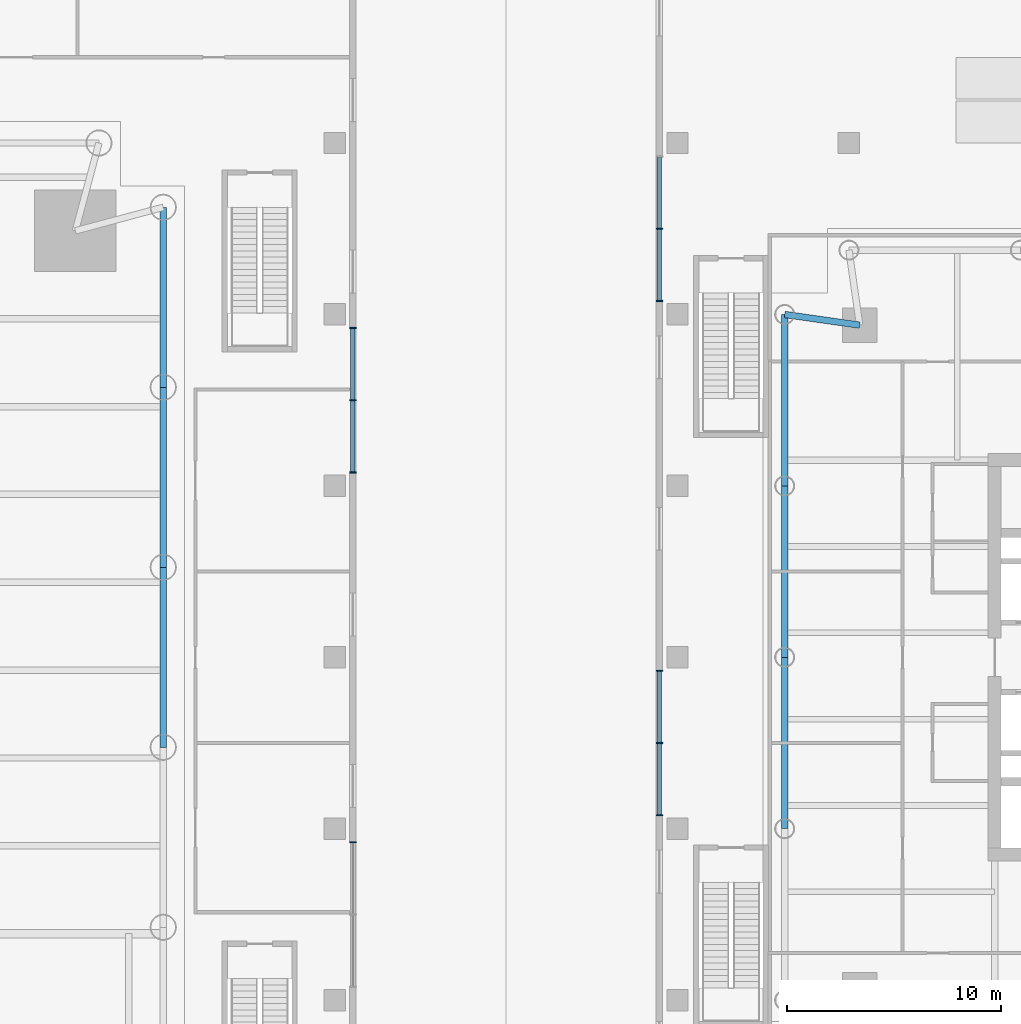
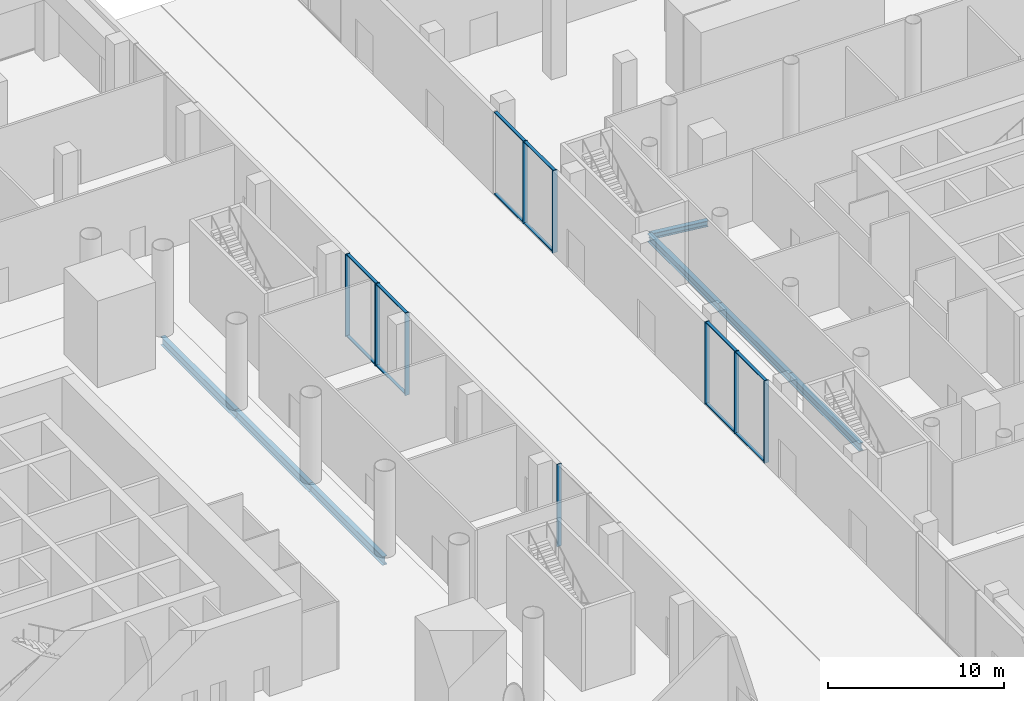
# One storey, part 12 of 39: 21 members, 7 beams, 4 elements without a shape of their own.
"""IFC4 building model written with IfcOpenShell, lengths in metres."""

from ifc_helpers import new_model, si_unit, direction, frame, origin, origin_2d, place, context, subcontext, project, spatial, rectangle, i_section, extrude, material, material_profile, profile_set, type_object, element, aggregate, save


model = new_model("IFC4")

# Units and contexts
model_context = context("Model", 3, precision=1e-05, world=origin(), true_north=direction((0.0, 1.0)))
body_context = subcontext(model_context, "Body", "Model", "MODEL_VIEW")
ifc_project = project(units=[si_unit("LENGTHUNIT", "METRE"), si_unit("AREAUNIT", "SQUARE_METRE"), si_unit("VOLUMEUNIT", "CUBIC_METRE"), si_unit("PLANEANGLEUNIT", "RADIAN"), si_unit("MASSUNIT", "GRAM", prefix="KILO")], contexts=[model_context])

# Site, building, storey
site_placement = place(None, origin())
site = spatial("IfcSite", under=ifc_project, at=site_placement, CompositionType="ELEMENT")
building_placement = place(site_placement, origin())
building = spatial("IfcBuilding", under=site, at=building_placement, Name="Ostroluk Exchange", CompositionType="ELEMENT")
storey_placement = place(building_placement, origin())
storey = spatial("IfcBuildingStorey", under=building, at=storey_placement, Name="L00", CompositionType="ELEMENT", Elevation=0.0)

# Beams
ifc_material_1 = material(Name="Steel S355", Category="steel")
ifc_material_profile_1 = material_profile(ifc_material_1, i_section(OverallWidth=0.300048828125, OverallDepth=0.39990234375, WebThickness=0.013427734375, FlangeThickness=0.02392578125, FilletRadius=0.027099609375, at=origin_2d()), Name="HEB 400")
ifc_profile_set_1 = profile_set([ifc_material_profile_1], Name="Steel S355")
beam_type_1 = type_object("IfcBeamType", Name="Corner edge beam HEB 400", PredefinedType="SPANDREL", material=ifc_profile_set_1)
beam_1_placement = place(storey_placement, frame((101.5, 61.5, -0.5), z_axis=(-0.989949493661, 0.141421356237, 0.0), x_axis=(-0.141421356237, -0.989949493661, 0.0)))
element("IfcBeam", 1, at=beam_1_placement, inside=storey, type_object=beam_type_1, Name="T2 north corner edge beam b", PredefinedType="SPANDREL", context=body_context, shape_type="SweptSolid", body=[
    extrude(i_section(OverallWidth=0.300048828125, OverallDepth=0.39990234375, WebThickness=0.013427734375, FlangeThickness=0.02392578125, FilletRadius=0.027099609375, at=origin_2d()), origin(), (0.0, 0.0, 1.0), 3.53564453125),
])
ifc_material_2 = material(Name="Steel S355", Category="steel")
ifc_material_profile_2 = material_profile(ifc_material_2, i_section(OverallWidth=0.300048828125, OverallDepth=0.550048828125, WebThickness=0.014892578125, FlangeThickness=0.029052734375, FilletRadius=0.027099609375, at=origin_2d()), Name="HEB 550")
ifc_profile_set_2 = profile_set([ifc_material_profile_2], Name="Steel S355")
beam_type_2 = type_object("IfcBeamType", Name="Moment-connected edge beam HEB 550", PredefinedType="SPANDREL", material=ifc_profile_set_2)
for number, where, z_axis, x_axis, name in (
    (2, (98.0, 62.0, -0.574951171875), (0.0, -1.0, 0.0), (1.0, 0.0, 0.0), "T2 west edge beam 1"),
    (3, (98.0, 54.0, -0.574951171875), (0.0, -1.0, 0.0), (1.0, 0.0, 0.0), "T2 west edge beam 2"),
    (4, (98.0, 46.0, -0.574951171875), (0.0, -1.0, 0.0), (1.0, 0.0, 0.0), "T2 west edge beam 3"),
):
    element("IfcBeam", number, at=place(storey_placement, frame(where, z_axis=z_axis, x_axis=x_axis)), inside=storey, type_object=beam_type_2, Name=name, PredefinedType="SPANDREL", context=body_context, shape_type="SweptSolid", body=[
        extrude(i_section(OverallWidth=0.300048828125, OverallDepth=0.550048828125, WebThickness=0.014892578125, FlangeThickness=0.029052734375, FilletRadius=0.027099609375, at=origin_2d()), origin(), (0.0, 0.0, 1.0), 8.0),
    ])
ifc_material_3 = material(Name="Steel S355", Category="steel")
ifc_material_profile_3 = material_profile(ifc_material_3, i_section(OverallWidth=0.300048828125, OverallDepth=0.60009765625, WebThickness=0.015380859375, FlangeThickness=0.030029296875, FilletRadius=0.027099609375, at=origin_2d()), Name="HEB 600")
ifc_profile_set_3 = profile_set([ifc_material_profile_3], Name="Steel S355")
beam_type_3 = type_object("IfcBeamType", Name="Moment-connected edge beam HEB 600", PredefinedType="SPANDREL", material=ifc_profile_set_3)
beam_2_placement = place(storey_placement, frame((69.0, 41.800048828125, -0.60009765625), z_axis=(0.0, 1.0, 0.0), x_axis=(-1.0, 0.0, 0.0)))
element("IfcBeam", 5, at=beam_2_placement, inside=storey, type_object=beam_type_3, Name="T1 east edge beam 3", PredefinedType="SPANDREL", context=body_context, shape_type="SweptSolid", body=[
    extrude(i_section(OverallWidth=0.300048828125, OverallDepth=0.60009765625, WebThickness=0.015380859375, FlangeThickness=0.030029296875, FilletRadius=0.027099609375, at=origin_2d()), origin(), (0.0, 0.0, 1.0), 8.39990234375),
])
beam_3_placement = place(storey_placement, frame((69.0, 50.199951171875, -0.60009765625), z_axis=(0.0, 1.0, 0.0), x_axis=(-1.0, 0.0, 0.0)))
element("IfcBeam", 6, at=beam_3_placement, inside=storey, type_object=beam_type_3, Name="T1 east edge beam 4", PredefinedType="SPANDREL", context=body_context, shape_type="SweptSolid", body=[
    extrude(i_section(OverallWidth=0.300048828125, OverallDepth=0.60009765625, WebThickness=0.015380859375, FlangeThickness=0.030029296875, FilletRadius=0.027099609375, at=origin_2d()), origin(), (0.0, 0.0, 1.0), 8.400146484375),
])
beam_4_placement = place(storey_placement, frame((69.0, 58.60009765625, -0.60009765625), z_axis=(0.0, 1.0, 0.0), x_axis=(-1.0, 0.0, 0.0)))
element("IfcBeam", 7, at=beam_4_placement, inside=storey, type_object=beam_type_3, Name="T1 east edge beam 5", PredefinedType="SPANDREL", context=body_context, shape_type="SweptSolid", body=[
    extrude(i_section(OverallWidth=0.300048828125, OverallDepth=0.60009765625, WebThickness=0.015380859375, FlangeThickness=0.030029296875, FilletRadius=0.027099609375, at=origin_2d()), origin(), (0.0, 0.0, 1.0), 8.39990234375),
])

# Curtain wall, member
ifc_material_4 = material(Name="Laminated clear glass", Category="glass")
curtain_wall_type = type_object("IfcCurtainWallType", Name="Podium shopfront", PredefinedType="USERDEFINED", material=ifc_material_4)
curtain_wall_1_placement = place(storey_placement, origin())
curtain_wall_1 = element("IfcCurtainWall", 8, at=curtain_wall_1_placement, inside=storey, type_object=curtain_wall_type, Name="Podium west E shopfront 2", ObjectType="STICK SHOPFRONT", PredefinedType="USERDEFINED")
ifc_material_5 = material(Name="Aluminium mullion", Category="aluminium")
ifc_material_profile_4 = material_profile(ifc_material_5, rectangle(XDim=0.300048828125, YDim=0.06005859375, at=origin_2d()), Name="Shopfront mullion 60 x 300")
ifc_profile_set_4 = profile_set([ifc_material_profile_4], Name="Aluminium mullion")
member_type_1 = type_object("IfcMemberType", Name="Shopfront mullion 60 x 300", PredefinedType="MULLION", material=ifc_profile_set_4)
member_1_placement = place(storey_placement, frame((77.85009765625, 37.3701171875, 0.0), z_axis=(0.0, 0.0, 1.0), x_axis=(-1.0, 0.0, 0.0)))
member_1 = element("IfcMember", 9, at=member_1_placement, type_object=member_type_1, Name="CW-SF1 mullion 3", PredefinedType="MULLION", context=body_context, shape_type="SweptSolid", body=[
    extrude(rectangle(XDim=0.300048828125, YDim=0.06005859375, at=origin_2d()), origin(), (0.0, 0.0, 1.0), 5.699951171875),
])
aggregate(curtain_wall_1, [member_1])

# Curtain wall, members
curtain_wall_2_placement = place(storey_placement, origin())
curtain_wall_2 = element("IfcCurtainWall", 10, at=curtain_wall_2_placement, inside=storey, type_object=curtain_wall_type, Name="Podium west E shopfront 3", ObjectType="STICK SHOPFRONT", PredefinedType="USERDEFINED")
member_2_placement = place(storey_placement, frame((77.85009765625, 54.6298828125, 0.0), z_axis=(0.0, 0.0, 1.0), x_axis=(-1.0, 0.0, 0.0)))
member_2 = element("IfcMember", 11, at=member_2_placement, type_object=member_type_1, Name="CW-SF1 mullion 1", PredefinedType="MULLION", context=body_context, shape_type="SweptSolid", body=[
    extrude(rectangle(XDim=0.300048828125, YDim=0.06005859375, at=origin_2d()), origin(), (0.0, 0.0, 1.0), 5.699951171875),
])
member_3_placement = place(storey_placement, frame((77.85009765625, 58.0, 0.0), z_axis=(0.0, 0.0, 1.0), x_axis=(-1.0, 0.0, 0.0)))
member_3 = element("IfcMember", 12, at=member_3_placement, type_object=member_type_1, Name="CW-SF1 mullion 2", PredefinedType="MULLION", context=body_context, shape_type="SweptSolid", body=[
    extrude(rectangle(XDim=0.300048828125, YDim=0.06005859375, at=origin_2d()), origin(), (0.0, 0.0, 1.0), 5.699951171875),
])
member_4_placement = place(storey_placement, frame((77.85009765625, 61.3701171875, 0.0), z_axis=(0.0, 0.0, 1.0), x_axis=(-1.0, 0.0, 0.0)))
member_4 = element("IfcMember", 13, at=member_4_placement, type_object=member_type_1, Name="CW-SF1 mullion 3", PredefinedType="MULLION", context=body_context, shape_type="SweptSolid", body=[
    extrude(rectangle(XDim=0.300048828125, YDim=0.06005859375, at=origin_2d()), origin(), (0.0, 0.0, 1.0), 5.699951171875),
])

curtain_wall_3_placement = place(storey_placement, origin())
curtain_wall_3 = element("IfcCurtainWall", 14, at=curtain_wall_3_placement, inside=storey, type_object=curtain_wall_type, Name="Podium east W shopfront 2", ObjectType="STICK SHOPFRONT", PredefinedType="USERDEFINED")
member_5_placement = place(storey_placement, frame((92.14990234375, 66.0, 0.0), z_axis=(0.0, 0.0, 1.0), x_axis=(1.0, 0.0, 0.0)))
member_5 = element("IfcMember", 15, at=member_5_placement, type_object=member_type_1, Name="CW-SF1 mullion 2", PredefinedType="MULLION", context=body_context, shape_type="SweptSolid", body=[
    extrude(rectangle(XDim=0.300048828125, YDim=0.06005859375, at=origin_2d()), origin(), (0.0, 0.0, 1.0), 5.699951171875),
])
member_6_placement = place(storey_placement, frame((92.14990234375, 62.6298828125, 0.0), z_axis=(0.0, 0.0, 1.0), x_axis=(1.0, 0.0, 0.0)))
member_6 = element("IfcMember", 16, at=member_6_placement, type_object=member_type_1, Name="CW-SF1 mullion 3", PredefinedType="MULLION", context=body_context, shape_type="SweptSolid", body=[
    extrude(rectangle(XDim=0.300048828125, YDim=0.06005859375, at=origin_2d()), origin(), (0.0, 0.0, 1.0), 5.699951171875),
])

curtain_wall_4_placement = place(storey_placement, origin())
curtain_wall_4 = element("IfcCurtainWall", 17, at=curtain_wall_4_placement, inside=storey, type_object=curtain_wall_type, Name="Podium east W shopfront 3", ObjectType="STICK SHOPFRONT", PredefinedType="USERDEFINED")
member_7_placement = place(storey_placement, frame((92.14990234375, 45.3701171875, 0.0), z_axis=(0.0, 0.0, 1.0), x_axis=(1.0, 0.0, 0.0)))
member_7 = element("IfcMember", 18, at=member_7_placement, type_object=member_type_1, Name="CW-SF1 mullion 1", PredefinedType="MULLION", context=body_context, shape_type="SweptSolid", body=[
    extrude(rectangle(XDim=0.300048828125, YDim=0.06005859375, at=origin_2d()), origin(), (0.0, 0.0, 1.0), 5.699951171875),
])
member_8_placement = place(storey_placement, frame((92.14990234375, 42.0, 0.0), z_axis=(0.0, 0.0, 1.0), x_axis=(1.0, 0.0, 0.0)))
member_8 = element("IfcMember", 19, at=member_8_placement, type_object=member_type_1, Name="CW-SF1 mullion 2", PredefinedType="MULLION", context=body_context, shape_type="SweptSolid", body=[
    extrude(rectangle(XDim=0.300048828125, YDim=0.06005859375, at=origin_2d()), origin(), (0.0, 0.0, 1.0), 5.699951171875),
])
member_9_placement = place(storey_placement, frame((92.14990234375, 38.6298828125, 0.0), z_axis=(0.0, 0.0, 1.0), x_axis=(1.0, 0.0, 0.0)))
member_9 = element("IfcMember", 20, at=member_9_placement, type_object=member_type_1, Name="CW-SF1 mullion 3", PredefinedType="MULLION", context=body_context, shape_type="SweptSolid", body=[
    extrude(rectangle(XDim=0.300048828125, YDim=0.06005859375, at=origin_2d()), origin(), (0.0, 0.0, 1.0), 5.699951171875),
])

# Member
ifc_material_6 = material(Name="Aluminium mullion", Category="aluminium")
ifc_material_profile_5 = material_profile(ifc_material_6, rectangle(XDim=0.199951171875, YDim=0.06005859375, at=origin_2d()), Name="Shopfront transom 60 x 200")
ifc_profile_set_5 = profile_set([ifc_material_profile_5], Name="Aluminium mullion")
member_type_2 = type_object("IfcMemberType", Name="Shopfront transom 60 x 200", PredefinedType="USERDEFINED", material=ifc_profile_set_5)
member_10_placement = place(storey_placement, frame((77.85009765625, 54.659912109375, 0.030029296875), z_axis=(0.0, 1.0, 0.0), x_axis=(-1.0, 0.0, 0.0)))
member_10 = element("IfcMember", 21, at=member_10_placement, type_object=member_type_2, Name="CW-SF1 transom 1.1", ObjectType="TRANSOM", PredefinedType="USERDEFINED", context=body_context, shape_type="SweptSolid", body=[
    extrude(rectangle(XDim=0.199951171875, YDim=0.06005859375, at=origin_2d()), origin(), (0.0, 0.0, 1.0), 3.31005859375),
])

member_11_placement = place(storey_placement, frame((77.85009765625, 54.659912109375, 5.669921875), z_axis=(0.0, 1.0, 0.0), x_axis=(-1.0, 0.0, 0.0)))
member_11 = element("IfcMember", 22, at=member_11_placement, type_object=member_type_2, Name="CW-SF1 transom 1.2", ObjectType="TRANSOM", PredefinedType="USERDEFINED", context=body_context, shape_type="SweptSolid", body=[
    extrude(rectangle(XDim=0.199951171875, YDim=0.06005859375, at=origin_2d()), origin(), (0.0, 0.0, 1.0), 3.31005859375),
])

member_12_placement = place(storey_placement, frame((77.85009765625, 58.030029296875, 0.030029296875), z_axis=(0.0, 1.0, 0.0), x_axis=(-1.0, 0.0, 0.0)))
member_12 = element("IfcMember", 23, at=member_12_placement, type_object=member_type_2, Name="CW-SF1 transom 2.1", ObjectType="TRANSOM", PredefinedType="USERDEFINED", context=body_context, shape_type="SweptSolid", body=[
    extrude(rectangle(XDim=0.199951171875, YDim=0.06005859375, at=origin_2d()), origin(), (0.0, 0.0, 1.0), 3.31005859375),
])

member_13_placement = place(storey_placement, frame((77.85009765625, 58.030029296875, 5.669921875), z_axis=(0.0, 1.0, 0.0), x_axis=(-1.0, 0.0, 0.0)))
member_13 = element("IfcMember", 24, at=member_13_placement, type_object=member_type_2, Name="CW-SF1 transom 2.2", ObjectType="TRANSOM", PredefinedType="USERDEFINED", context=body_context, shape_type="SweptSolid", body=[
    extrude(rectangle(XDim=0.199951171875, YDim=0.06005859375, at=origin_2d()), origin(), (0.0, 0.0, 1.0), 3.31005859375),
])

aggregate(curtain_wall_2, [member_2, member_3, member_4, member_10, member_11, member_12, member_13])

member_14_placement = place(storey_placement, frame((92.14990234375, 69.340087890625, 0.030029296875), z_axis=(0.0, -1.0, 0.0), x_axis=(1.0, 0.0, 0.0)))
member_14 = element("IfcMember", 25, at=member_14_placement, type_object=member_type_2, Name="CW-SF1 transom 1.1", ObjectType="TRANSOM", PredefinedType="USERDEFINED", context=body_context, shape_type="SweptSolid", body=[
    extrude(rectangle(XDim=0.199951171875, YDim=0.06005859375, at=origin_2d()), origin(), (0.0, 0.0, 1.0), 3.31005859375),
])

member_15_placement = place(storey_placement, frame((92.14990234375, 69.340087890625, 5.669921875), z_axis=(0.0, -1.0, 0.0), x_axis=(1.0, 0.0, 0.0)))
member_15 = element("IfcMember", 26, at=member_15_placement, type_object=member_type_2, Name="CW-SF1 transom 1.2", ObjectType="TRANSOM", PredefinedType="USERDEFINED", context=body_context, shape_type="SweptSolid", body=[
    extrude(rectangle(XDim=0.199951171875, YDim=0.06005859375, at=origin_2d()), origin(), (0.0, 0.0, 1.0), 3.31005859375),
])

member_16_placement = place(storey_placement, frame((92.14990234375, 65.969970703125, 0.030029296875), z_axis=(0.0, -1.0, 0.0), x_axis=(1.0, 0.0, 0.0)))
member_16 = element("IfcMember", 27, at=member_16_placement, type_object=member_type_2, Name="CW-SF1 transom 2.1", ObjectType="TRANSOM", PredefinedType="USERDEFINED", context=body_context, shape_type="SweptSolid", body=[
    extrude(rectangle(XDim=0.199951171875, YDim=0.06005859375, at=origin_2d()), origin(), (0.0, 0.0, 1.0), 3.31005859375),
])

member_17_placement = place(storey_placement, frame((92.14990234375, 65.969970703125, 5.669921875), z_axis=(0.0, -1.0, 0.0), x_axis=(1.0, 0.0, 0.0)))
member_17 = element("IfcMember", 28, at=member_17_placement, type_object=member_type_2, Name="CW-SF1 transom 2.2", ObjectType="TRANSOM", PredefinedType="USERDEFINED", context=body_context, shape_type="SweptSolid", body=[
    extrude(rectangle(XDim=0.199951171875, YDim=0.06005859375, at=origin_2d()), origin(), (0.0, 0.0, 1.0), 3.31005859375),
])

aggregate(curtain_wall_3, [member_5, member_6, member_14, member_15, member_16, member_17])

member_18_placement = place(storey_placement, frame((92.14990234375, 45.340087890625, 0.030029296875), z_axis=(0.0, -1.0, 0.0), x_axis=(1.0, 0.0, 0.0)))
member_18 = element("IfcMember", 29, at=member_18_placement, type_object=member_type_2, Name="CW-SF1 transom 1.1", ObjectType="TRANSOM", PredefinedType="USERDEFINED", context=body_context, shape_type="SweptSolid", body=[
    extrude(rectangle(XDim=0.199951171875, YDim=0.06005859375, at=origin_2d()), origin(), (0.0, 0.0, 1.0), 3.31005859375),
])

member_19_placement = place(storey_placement, frame((92.14990234375, 45.340087890625, 5.669921875), z_axis=(0.0, -1.0, 0.0), x_axis=(1.0, 0.0, 0.0)))
member_19 = element("IfcMember", 30, at=member_19_placement, type_object=member_type_2, Name="CW-SF1 transom 1.2", ObjectType="TRANSOM", PredefinedType="USERDEFINED", context=body_context, shape_type="SweptSolid", body=[
    extrude(rectangle(XDim=0.199951171875, YDim=0.06005859375, at=origin_2d()), origin(), (0.0, 0.0, 1.0), 3.31005859375),
])

member_20_placement = place(storey_placement, frame((92.14990234375, 41.969970703125, 0.030029296875), z_axis=(0.0, -1.0, 0.0), x_axis=(1.0, 0.0, 0.0)))
member_20 = element("IfcMember", 31, at=member_20_placement, type_object=member_type_2, Name="CW-SF1 transom 2.1", ObjectType="TRANSOM", PredefinedType="USERDEFINED", context=body_context, shape_type="SweptSolid", body=[
    extrude(rectangle(XDim=0.199951171875, YDim=0.06005859375, at=origin_2d()), origin(), (0.0, 0.0, 1.0), 3.31005859375),
])

member_21_placement = place(storey_placement, frame((92.14990234375, 41.969970703125, 5.669921875), z_axis=(0.0, -1.0, 0.0), x_axis=(1.0, 0.0, 0.0)))
member_21 = element("IfcMember", 32, at=member_21_placement, type_object=member_type_2, Name="CW-SF1 transom 2.2", ObjectType="TRANSOM", PredefinedType="USERDEFINED", context=body_context, shape_type="SweptSolid", body=[
    extrude(rectangle(XDim=0.199951171875, YDim=0.06005859375, at=origin_2d()), origin(), (0.0, 0.0, 1.0), 3.31005859375),
])

aggregate(curtain_wall_4, [member_7, member_8, member_9, member_18, member_19, member_20, member_21])

save(model, "model.ifc")
